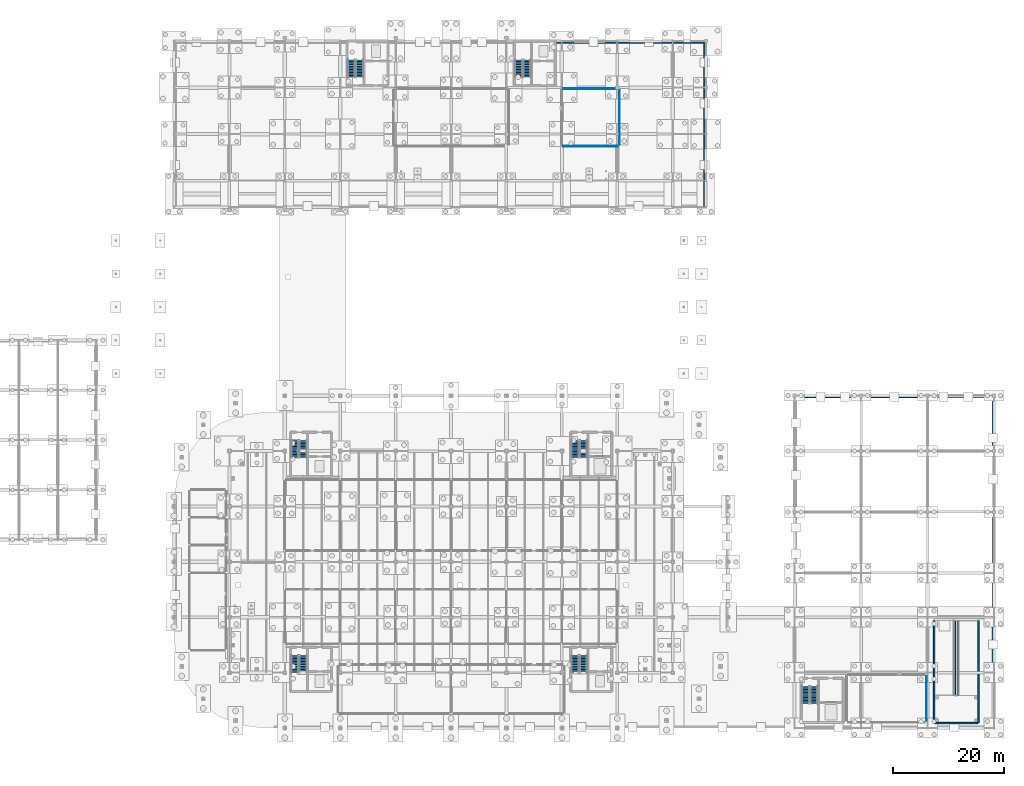
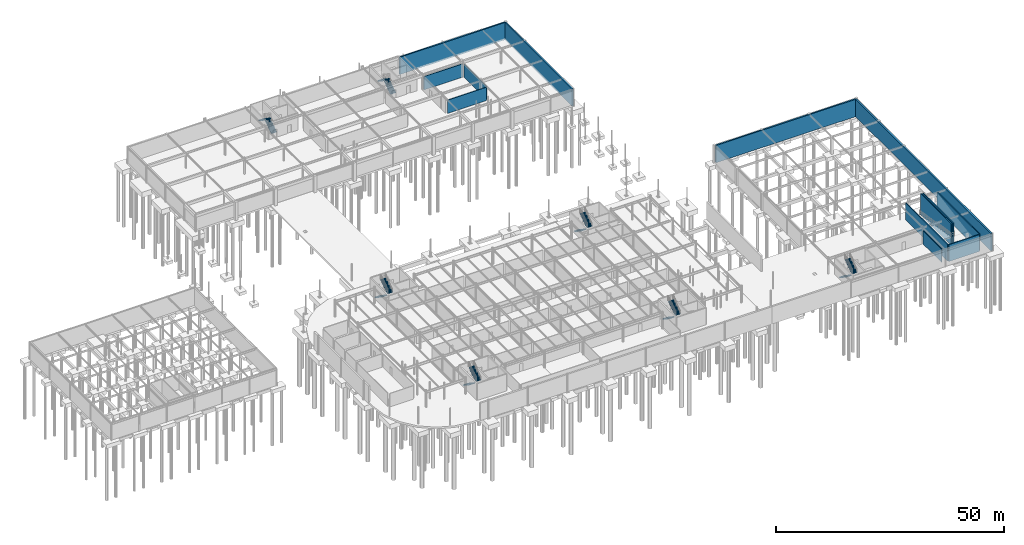
# One storey, part 69 of 75: 14 stair flights, 13 walls, 7 elements without a shape of their own.
"""IFC4 building model written with IfcOpenShell, lengths in metres."""

from ifc_helpers import new_model, si_unit, derived_unit, direction, frame, frame_2d, origin, place, context, subcontext, project, spatial, polyline, rectangle, outline, extrude, material, layer, layer_set, type_object, element, aggregate, save


model = new_model("IFC4")

# Units and contexts
model_context = context("Model", 3, precision=1e-05, world=origin(), true_north=direction((0.0, 1.0)))
body_context = subcontext(model_context, "Body", "Model", "MODEL_VIEW")
ifc_project = project(units=[si_unit("LENGTHUNIT", "METRE"), si_unit("AREAUNIT", "SQUARE_METRE"), si_unit("VOLUMEUNIT", "CUBIC_METRE"), si_unit("PLANEANGLEUNIT", "RADIAN"), si_unit("MASSUNIT", "GRAM", prefix="KILO"), derived_unit("THERMALTRANSMITTANCEUNIT", [(si_unit("POWERUNIT", "WATT"), 1), (si_unit("LENGTHUNIT", "METRE"), -2), (si_unit("THERMODYNAMICTEMPERATUREUNIT", "KELVIN"), -1)])], contexts=[model_context])

# Site, building, storey
site_placement = place(None, origin())
site = spatial("IfcSite", under=ifc_project, at=site_placement, CompositionType="ELEMENT")
building_placement = place(site_placement, origin())
building = spatial("IfcBuilding", under=site, at=building_placement, Name="Cinnabar Yard Market Hall", CompositionType="ELEMENT")
storey_placement = place(building_placement, frame((0.0, 0.0, -4.5)))
storey = spatial("IfcBuildingStorey", under=building, at=storey_placement, Name="B1", CompositionType="ELEMENT", Elevation=-4.5)

# Walls
ifc_material_1 = material(Name="Fire-rated steel-stud plasterboard", Category="steel")
ifc_layer_1 = layer(ifc_material_1, 0.14990234375)
ifc_layer_set_1 = layer_set([ifc_layer_1], Name="Fire-rated steel-stud plasterboard")
wall_type_1 = type_object("IfcWallType", Name="WL-PT150", PredefinedType="PARTITIONING", material=ifc_layer_set_1)
wall_1_placement = place(storey_placement, frame((201.800048828125, 15.280029296875, 0.0), z_axis=(0.0, 0.0, 1.0), x_axis=(0.0, 1.0, 0.0)))
element("IfcWall", 1, at=wall_1_placement, inside=storey, type_object=wall_type_1, Name="Partition Basement Delivery Marshalling Hall east", PredefinedType="PARTITIONING", context=body_context, shape_type="SweptSolid", body=[
    extrude(rectangle(XDim=8.0400390625, YDim=0.14990234375, at=frame_2d((4.02001953125, 0.0), x_axis=(1.0, 0.0))), origin(), (0.0, 0.0, 1.0), 3.580078125),
])
for number, where, z_axis, x_axis, name in (
    (2, (136.280029296875, 119.0, 0.0), (0.0, 0.0, 1.0), (1.0, 0.0, 0.0), "Partition Artisan Cure and Fermentation Cellar south"),
    (3, (146.39990234375, 119.280029296875, 0.0), (0.0, 0.0, 1.0), (0.0, 1.0, 0.0), "Partition Artisan Cure and Fermentation Cellar east"),
    (4, (146.1201171875, 129.39990234375, 0.0), (0.0, 0.0, 1.0), (-1.0, 0.0, 0.0), "Partition Artisan Cure and Fermentation Cellar north"),
):
    element("IfcWall", number, at=place(storey_placement, frame(where, z_axis=z_axis, x_axis=x_axis)), inside=storey, type_object=wall_type_1, Name=name, PredefinedType="PARTITIONING", context=body_context, shape_type="SweptSolid", body=[
        extrude(rectangle(XDim=9.840087890625, YDim=0.14990234375, at=frame_2d((4.919921875, 0.0), x_axis=(1.0, 0.0))), origin(), (0.0, 0.0, 1.0), 3.580078125),
    ])
ifc_material_2 = material(Name="Concrete 40 MPa", Category="concrete")
ifc_layer_2 = layer(ifc_material_2, 0.39990234375)
ifc_layer_set_2 = layer_set([ifc_layer_2], Name="Concrete 40 MPa")
wall_type_2 = type_object("IfcWallType", Name="WL-W-RET1E", PredefinedType="USERDEFINED", material=ifc_layer_set_2)
wall_2_placement = place(storey_placement, frame((213.800048828125, 14.199951171875, -0.449951171875), z_axis=(0.0, 0.0, 1.0), x_axis=(0.0, 1.0, 0.0)))
element("IfcWall", 5, at=wall_2_placement, inside=storey, type_object=wall_type_2, Name="Retaining Plinth Wall B1-RET-V4E", ObjectType="RETAINING WALL", PredefinedType="USERDEFINED", context=body_context, shape_type="SweptSolid", body=[
    extrude(rectangle(XDim=59.60009765625, YDim=0.39990234375, at=frame_2d((29.800048828125, 0.0), x_axis=(1.0, 0.0))), origin(), (0.0, 0.0, 1.0), 4.64990234375),
])
ifc_layer_3 = layer(ifc_material_2, 0.360107421875)
ifc_layer_set_3 = layer_set([ifc_layer_3], Name="Concrete 40 MPa")
wall_type_3 = type_object("IfcWallType", Name="WL-W-RET2E", PredefinedType="USERDEFINED", material=ifc_layer_set_3)
wall_3_placement = place(storey_placement, frame((134.97998046875, 137.800048828125, -0.449951171875), z_axis=(0.0, 0.0, 1.0), x_axis=(1.0, 0.0, 0.0)))
element("IfcWall", 6, at=wall_3_placement, inside=storey, type_object=wall_type_3, Name="Retaining Plinth Wall B1-RET-V3N3", ObjectType="RETAINING WALL", PredefinedType="USERDEFINED", context=body_context, shape_type="SweptSolid", body=[
    extrude(rectangle(XDim=26.820068359375, YDim=0.360107421875, at=frame_2d((13.41015625, 0.0), x_axis=(1.0, 0.0))), origin(), (0.0, 0.0, 1.0), 4.64990234375),
])
wall_4_placement = place(storey_placement, frame((161.800048828125, 108.199951171875, -0.449951171875), z_axis=(0.0, 0.0, 1.0), x_axis=(0.0, 1.0, 0.0)))
element("IfcWall", 7, at=wall_4_placement, inside=storey, type_object=wall_type_3, Name="Retaining Plinth Wall B1-RET-V3E", ObjectType="RETAINING WALL", PredefinedType="USERDEFINED", context=body_context, shape_type="SweptSolid", body=[
    extrude(rectangle(XDim=29.60009765625, YDim=0.360107421875, at=frame_2d((14.800048828125, 0.0), x_axis=(1.0, 0.0))), origin(), (0.0, 0.0, 1.0), 4.64990234375),
])
wall_5_placement = place(storey_placement, frame((213.800048828125, 73.800048828125, -0.449951171875), z_axis=(0.0, 0.0, 1.0), x_axis=(-1.0, 0.0, 0.0)))
element("IfcWall", 8, at=wall_5_placement, inside=storey, type_object=wall_type_3, Name="Retaining Plinth Wall B1-RET-V4N", ObjectType="RETAINING WALL", PredefinedType="USERDEFINED", context=body_context, shape_type="SweptSolid", body=[
    extrude(rectangle(XDim=35.60009765625, YDim=0.360107421875, at=frame_2d((17.800048828125, 0.0), x_axis=(1.0, 0.0))), origin(), (0.0, 0.0, 1.0), 4.64990234375),
])
ifc_layer_4 = layer(ifc_material_2, 0.25)
ifc_layer_set_4 = layer_set([ifc_layer_4], Name="Concrete 40 MPa")
wall_type_4 = type_object("IfcWallType", Name="WL-W-SHAFT", PredefinedType="SHEAR", material=ifc_layer_set_4)
wall_6_placement = place(storey_placement, frame((203.179931640625, 15.0, 0.0), z_axis=(0.0, 0.0, 1.0), x_axis=(0.0, 1.0, 0.0)))
element("IfcWall", 9, at=wall_6_placement, inside=storey, type_object=wall_type_4, Name="B1 Ramp West Cheek Wall", PredefinedType="SHEAR", context=body_context, shape_type="SweptSolid", body=[
    extrude(rectangle(XDim=18.39990234375, YDim=0.25, at=frame_2d((9.199951171875, 0.0), x_axis=(1.0, 0.0))), origin(), (0.0, 0.0, 1.0), 4.5),
])
for number, where, z_axis, x_axis, name in (
    (10, (206.949951171875, 19.85009765625, 0.0), (0.0, 0.0, 1.0), (0.0, 1.0, 0.0), "B1 Ramp Spine Wall W"),
    (11, (207.449951171875, 33.25, 0.0), (0.0, 0.0, 1.0), (0.0, -1.0, 0.0), "B1 Ramp Spine Wall E"),
):
    element("IfcWall", number, at=place(storey_placement, frame(where, z_axis=z_axis, x_axis=x_axis)), inside=storey, type_object=wall_type_4, Name=name, PredefinedType="SHEAR", context=body_context, shape_type="SweptSolid", body=[
        extrude(rectangle(XDim=13.39990234375, YDim=0.25, at=frame_2d((6.699951171875, 0.0), x_axis=(1.0, 0.0))), origin(), (0.0, 0.0, 1.0), 5.75),
    ])
wall_7_placement = place(storey_placement, frame((211.219970703125, 33.39990234375, 0.0), z_axis=(0.0, 0.0, 1.0), x_axis=(0.0, -1.0, 0.0)))
element("IfcWall", 12, at=wall_7_placement, inside=storey, type_object=wall_type_4, Name="B1 Ramp East Cheek Wall", PredefinedType="SHEAR", context=body_context, shape_type="SweptSolid", body=[
    extrude(rectangle(XDim=18.39990234375, YDim=0.25, at=frame_2d((9.199951171875, 0.0), x_axis=(1.0, 0.0))), origin(), (0.0, 0.0, 1.0), 4.5),
])
wall_8_placement = place(storey_placement, frame((203.320068359375, 14.8798828125, 0.0), z_axis=(0.0, 0.0, 1.0), x_axis=(1.0, 0.0, 0.0)))
element("IfcWall", 13, at=wall_8_placement, inside=storey, type_object=wall_type_4, Name="B1 Ramp South Cheek Wall", PredefinedType="SHEAR", context=body_context, shape_type="SweptSolid", body=[
    extrude(rectangle(XDim=7.760009765625, YDim=0.25, at=frame_2d((3.8798828125, 0.0), x_axis=(1.0, 0.0))), origin(), (0.0, 0.0, 1.0), 4.5),
])

# Stair, stair flights
stair_type = type_object("IfcStairType", Name="ST-CORE", PredefinedType="HALF_TURN_STAIR", material=ifc_material_2)
stair_1_placement = place(storey_placement, origin())
stair_1 = element("IfcStair", 14, at=stair_1_placement, inside=storey, type_object=stair_type, Name="B1 Market Hall South-West Core Stair", PredefinedType="HALF_TURN_STAIR")
stair_flight_type = type_object("IfcStairFlightType", Name="STF-CORE", PredefinedType="STRAIGHT", material=ifc_material_2)
stair_flight_1_placement = place(storey_placement, frame((87.81494140625, 27.110107421875, 0.0), z_axis=(0.0, 0.0, 1.0), x_axis=(0.0, -1.0, 0.0)))
stair_flight_1 = element("IfcStairFlight", 15, at=stair_flight_1_placement, type_object=stair_flight_type, Name="ST-C1 flight 1", NumberOfRisers=12, NumberOfTreads=11, PredefinedType="STRAIGHT", RiserHeight=0.1875, TreadLength=0.28, context=body_context, shape_type="SweptSolid", body=[
    extrude(outline(polyline([(0.0, 0.0), (0.0, 0.1875), (0.280029296875, 0.1875), (0.280029296875, 0.375), (0.56005859375, 0.375), (0.56005859375, 0.5625), (0.840087890625, 0.5625), (0.840087890625, 0.75), (1.1201171875, 0.75), (1.1201171875, 0.9375), (1.39990234375, 0.9375), (1.39990234375, 1.125), (1.679931640625, 1.125), (1.679931640625, 1.3125), (1.9599609375, 1.3125), (1.9599609375, 1.5), (2.239990234375, 1.5), (2.239990234375, 1.6875), (2.52001953125, 1.6875), (2.52001953125, 1.875), (2.800048828125, 1.875), (2.800048828125, 2.0625), (3.080078125, 2.0625), (3.080078125, 2.25), (3.080078125, 1.882080078125), (0.26953125, 0.0), (0.0, 0.0)])), frame((0.0, 0.675048828125, 0.0), z_axis=(0.0, -1.0, 0.0), x_axis=(1.0, 0.0, 0.0)), (0.0, 0.0, 1.0), 1.35009765625),
])
stair_flight_2_placement = place(storey_placement, frame((89.324951171875, 24.030029296875, 2.25), z_axis=(0.0, 0.0, 1.0), x_axis=(0.0, 1.0, 0.0)))
stair_flight_2 = element("IfcStairFlight", 16, at=stair_flight_2_placement, type_object=stair_flight_type, Name="ST-C1 flight 2", NumberOfRisers=12, NumberOfTreads=11, PredefinedType="STRAIGHT", RiserHeight=0.1875, TreadLength=0.28, context=body_context, shape_type="SweptSolid", body=[
    extrude(outline(polyline([(0.0, 0.0), (0.0, 0.1875), (0.280029296875, 0.1875), (0.280029296875, 0.375), (0.56005859375, 0.375), (0.56005859375, 0.5625), (0.840087890625, 0.5625), (0.840087890625, 0.75), (1.1201171875, 0.75), (1.1201171875, 0.9375), (1.39990234375, 0.9375), (1.39990234375, 1.125), (1.679931640625, 1.125), (1.679931640625, 1.3125), (1.9599609375, 1.3125), (1.9599609375, 1.5), (2.239990234375, 1.5), (2.239990234375, 1.6875), (2.52001953125, 1.6875), (2.52001953125, 1.875), (2.800048828125, 1.875), (2.800048828125, 2.0625), (3.080078125, 2.0625), (3.080078125, 2.25), (3.080078125, 1.882080078125), (0.26953125, 0.0), (0.0, 0.0)])), frame((0.0, 0.675048828125, 0.0), z_axis=(0.0, -1.0, 0.0), x_axis=(1.0, 0.0, 0.0)), (0.0, 0.0, 1.0), 1.35009765625),
])
aggregate(stair_1, [stair_flight_1, stair_flight_2])

stair_2_placement = place(storey_placement, origin())
stair_2 = element("IfcStair", 17, at=stair_2_placement, inside=storey, type_object=stair_type, Name="B1 Market Hall South-East Core Stair", PredefinedType="HALF_TURN_STAIR")
stair_flight_3_placement = place(storey_placement, frame((138.4150390625, 27.110107421875, 0.0), z_axis=(0.0, 0.0, 1.0), x_axis=(0.0, -1.0, 0.0)))
stair_flight_3 = element("IfcStairFlight", 18, at=stair_flight_3_placement, type_object=stair_flight_type, Name="ST-C2 flight 1", NumberOfRisers=12, NumberOfTreads=11, PredefinedType="STRAIGHT", RiserHeight=0.1875, TreadLength=0.28, context=body_context, shape_type="SweptSolid", body=[
    extrude(outline(polyline([(0.0, 0.0), (0.0, 0.1875), (0.280029296875, 0.1875), (0.280029296875, 0.375), (0.56005859375, 0.375), (0.56005859375, 0.5625), (0.840087890625, 0.5625), (0.840087890625, 0.75), (1.1201171875, 0.75), (1.1201171875, 0.9375), (1.39990234375, 0.9375), (1.39990234375, 1.125), (1.679931640625, 1.125), (1.679931640625, 1.3125), (1.9599609375, 1.3125), (1.9599609375, 1.5), (2.239990234375, 1.5), (2.239990234375, 1.6875), (2.52001953125, 1.6875), (2.52001953125, 1.875), (2.800048828125, 1.875), (2.800048828125, 2.0625), (3.080078125, 2.0625), (3.080078125, 2.25), (3.080078125, 1.882080078125), (0.26953125, 0.0), (0.0, 0.0)])), frame((0.0, 0.675048828125, 0.0), z_axis=(0.0, -1.0, 0.0), x_axis=(1.0, 0.0, 0.0)), (0.0, 0.0, 1.0), 1.35009765625),
])
stair_flight_4_placement = place(storey_placement, frame((139.925048828125, 24.030029296875, 2.25), z_axis=(0.0, 0.0, 1.0), x_axis=(0.0, 1.0, 0.0)))
stair_flight_4 = element("IfcStairFlight", 19, at=stair_flight_4_placement, type_object=stair_flight_type, Name="ST-C2 flight 2", NumberOfRisers=12, NumberOfTreads=11, PredefinedType="STRAIGHT", RiserHeight=0.1875, TreadLength=0.28, context=body_context, shape_type="SweptSolid", body=[
    extrude(outline(polyline([(0.0, 0.0), (0.0, 0.1875), (0.280029296875, 0.1875), (0.280029296875, 0.375), (0.56005859375, 0.375), (0.56005859375, 0.5625), (0.840087890625, 0.5625), (0.840087890625, 0.75), (1.1201171875, 0.75), (1.1201171875, 0.9375), (1.39990234375, 0.9375), (1.39990234375, 1.125), (1.679931640625, 1.125), (1.679931640625, 1.3125), (1.9599609375, 1.3125), (1.9599609375, 1.5), (2.239990234375, 1.5), (2.239990234375, 1.6875), (2.52001953125, 1.6875), (2.52001953125, 1.875), (2.800048828125, 1.875), (2.800048828125, 2.0625), (3.080078125, 2.0625), (3.080078125, 2.25), (3.080078125, 1.882080078125), (0.26953125, 0.0), (0.0, 0.0)])), frame((0.0, 0.675048828125, 0.0), z_axis=(0.0, -1.0, 0.0), x_axis=(1.0, 0.0, 0.0)), (0.0, 0.0, 1.0), 1.35009765625),
])
aggregate(stair_2, [stair_flight_3, stair_flight_4])

stair_3_placement = place(storey_placement, origin())
stair_3 = element("IfcStair", 20, at=stair_3_placement, inside=storey, type_object=stair_type, Name="B1 Market Hall North-West Core Stair", PredefinedType="HALF_TURN_STAIR")
stair_flight_5_placement = place(storey_placement, frame((87.81494140625, 65.909912109375, 0.0), z_axis=(0.0, 0.0, 1.0), x_axis=(0.0, -1.0, 0.0)))
stair_flight_5 = element("IfcStairFlight", 21, at=stair_flight_5_placement, type_object=stair_flight_type, Name="ST-C3 flight 1", NumberOfRisers=12, NumberOfTreads=11, PredefinedType="STRAIGHT", RiserHeight=0.1875, TreadLength=0.28, context=body_context, shape_type="SweptSolid", body=[
    extrude(outline(polyline([(0.0, 0.0), (0.0, 0.1875), (0.280029296875, 0.1875), (0.280029296875, 0.375), (0.56005859375, 0.375), (0.56005859375, 0.5625), (0.840087890625, 0.5625), (0.840087890625, 0.75), (1.1201171875, 0.75), (1.1201171875, 0.9375), (1.39990234375, 0.9375), (1.39990234375, 1.125), (1.679931640625, 1.125), (1.679931640625, 1.3125), (1.9599609375, 1.3125), (1.9599609375, 1.5), (2.239990234375, 1.5), (2.239990234375, 1.6875), (2.52001953125, 1.6875), (2.52001953125, 1.875), (2.800048828125, 1.875), (2.800048828125, 2.0625), (3.080078125, 2.0625), (3.080078125, 2.25), (3.080078125, 1.882080078125), (0.26953125, 0.0), (0.0, 0.0)])), frame((0.0, 0.675048828125, 0.0), z_axis=(0.0, -1.0, 0.0), x_axis=(1.0, 0.0, 0.0)), (0.0, 0.0, 1.0), 1.35009765625),
])
stair_flight_6_placement = place(storey_placement, frame((89.324951171875, 62.830078125, 2.25), z_axis=(0.0, 0.0, 1.0), x_axis=(0.0, 1.0, 0.0)))
stair_flight_6 = element("IfcStairFlight", 22, at=stair_flight_6_placement, type_object=stair_flight_type, Name="ST-C3 flight 2", NumberOfRisers=12, NumberOfTreads=11, PredefinedType="STRAIGHT", RiserHeight=0.1875, TreadLength=0.28, context=body_context, shape_type="SweptSolid", body=[
    extrude(outline(polyline([(0.0, 0.0), (0.0, 0.1875), (0.280029296875, 0.1875), (0.280029296875, 0.375), (0.56005859375, 0.375), (0.56005859375, 0.5625), (0.840087890625, 0.5625), (0.840087890625, 0.75), (1.1201171875, 0.75), (1.1201171875, 0.9375), (1.39990234375, 0.9375), (1.39990234375, 1.125), (1.679931640625, 1.125), (1.679931640625, 1.3125), (1.9599609375, 1.3125), (1.9599609375, 1.5), (2.239990234375, 1.5), (2.239990234375, 1.6875), (2.52001953125, 1.6875), (2.52001953125, 1.875), (2.800048828125, 1.875), (2.800048828125, 2.0625), (3.080078125, 2.0625), (3.080078125, 2.25), (3.080078125, 1.882080078125), (0.26953125, 0.0), (0.0, 0.0)])), frame((0.0, 0.675048828125, 0.0), z_axis=(0.0, -1.0, 0.0), x_axis=(1.0, 0.0, 0.0)), (0.0, 0.0, 1.0), 1.35009765625),
])
aggregate(stair_3, [stair_flight_5, stair_flight_6])

stair_4_placement = place(storey_placement, origin())
stair_4 = element("IfcStair", 23, at=stair_4_placement, inside=storey, type_object=stair_type, Name="B1 Cooking School West Core Stair", PredefinedType="HALF_TURN_STAIR")
stair_flight_7_placement = place(storey_placement, frame((99.52490234375, 131.489990234375, 0.0), z_axis=(0.0, 0.0, 1.0), x_axis=(0.0, 1.0, 0.0)))
stair_flight_7 = element("IfcStairFlight", 24, at=stair_flight_7_placement, type_object=stair_flight_type, Name="ST-C5 flight 1", NumberOfRisers=12, NumberOfTreads=11, PredefinedType="STRAIGHT", RiserHeight=0.1875, TreadLength=0.28, context=body_context, shape_type="SweptSolid", body=[
    extrude(outline(polyline([(0.0, 0.0), (0.0, 0.1875), (0.280029296875, 0.1875), (0.280029296875, 0.375), (0.56005859375, 0.375), (0.56005859375, 0.5625), (0.840087890625, 0.5625), (0.840087890625, 0.75), (1.1201171875, 0.75), (1.1201171875, 0.9375), (1.39990234375, 0.9375), (1.39990234375, 1.125), (1.679931640625, 1.125), (1.679931640625, 1.3125), (1.9599609375, 1.3125), (1.9599609375, 1.5), (2.239990234375, 1.5), (2.239990234375, 1.6875), (2.52001953125, 1.6875), (2.52001953125, 1.875), (2.800048828125, 1.875), (2.800048828125, 2.0625), (3.080078125, 2.0625), (3.080078125, 2.25), (3.080078125, 1.882080078125), (0.26953125, 0.0), (0.0, 0.0)])), frame((0.0, 0.675048828125, 0.0), z_axis=(0.0, -1.0, 0.0), x_axis=(1.0, 0.0, 0.0)), (0.0, 0.0, 1.0), 1.35009765625),
])
stair_flight_8_placement = place(storey_placement, frame((98.014892578125, 134.570068359375, 2.25), z_axis=(0.0, 0.0, 1.0), x_axis=(0.0, -1.0, 0.0)))
stair_flight_8 = element("IfcStairFlight", 25, at=stair_flight_8_placement, type_object=stair_flight_type, Name="ST-C5 flight 2", NumberOfRisers=12, NumberOfTreads=11, PredefinedType="STRAIGHT", RiserHeight=0.1875, TreadLength=0.28, context=body_context, shape_type="SweptSolid", body=[
    extrude(outline(polyline([(0.0, 0.0), (0.0, 0.1875), (0.280029296875, 0.1875), (0.280029296875, 0.375), (0.56005859375, 0.375), (0.56005859375, 0.5625), (0.840087890625, 0.5625), (0.840087890625, 0.75), (1.1201171875, 0.75), (1.1201171875, 0.9375), (1.39990234375, 0.9375), (1.39990234375, 1.125), (1.679931640625, 1.125), (1.679931640625, 1.3125), (1.9599609375, 1.3125), (1.9599609375, 1.5), (2.239990234375, 1.5), (2.239990234375, 1.6875), (2.52001953125, 1.6875), (2.52001953125, 1.875), (2.800048828125, 1.875), (2.800048828125, 2.0625), (3.080078125, 2.0625), (3.080078125, 2.25), (3.080078125, 1.882080078125), (0.26953125, 0.0), (0.0, 0.0)])), frame((0.0, 0.675048828125, 0.0), z_axis=(0.0, -1.0, 0.0), x_axis=(1.0, 0.0, 0.0)), (0.0, 0.0, 1.0), 1.35009765625),
])
aggregate(stair_4, [stair_flight_7, stair_flight_8])

stair_5_placement = place(storey_placement, origin())
stair_5 = element("IfcStair", 26, at=stair_5_placement, inside=storey, type_object=stair_type, Name="B1 Cooking School East Core Stair", PredefinedType="HALF_TURN_STAIR")
stair_flight_9_placement = place(storey_placement, frame((129.72509765625, 131.489990234375, 0.0), z_axis=(0.0, 0.0, 1.0), x_axis=(0.0, 1.0, 0.0)))
stair_flight_9 = element("IfcStairFlight", 27, at=stair_flight_9_placement, type_object=stair_flight_type, Name="ST-C6 flight 1", NumberOfRisers=12, NumberOfTreads=11, PredefinedType="STRAIGHT", RiserHeight=0.1875, TreadLength=0.28, context=body_context, shape_type="SweptSolid", body=[
    extrude(outline(polyline([(0.0, 0.0), (0.0, 0.1875), (0.280029296875, 0.1875), (0.280029296875, 0.375), (0.56005859375, 0.375), (0.56005859375, 0.5625), (0.840087890625, 0.5625), (0.840087890625, 0.75), (1.1201171875, 0.75), (1.1201171875, 0.9375), (1.39990234375, 0.9375), (1.39990234375, 1.125), (1.679931640625, 1.125), (1.679931640625, 1.3125), (1.9599609375, 1.3125), (1.9599609375, 1.5), (2.239990234375, 1.5), (2.239990234375, 1.6875), (2.52001953125, 1.6875), (2.52001953125, 1.875), (2.800048828125, 1.875), (2.800048828125, 2.0625), (3.080078125, 2.0625), (3.080078125, 2.25), (3.080078125, 1.882080078125), (0.26953125, 0.0), (0.0, 0.0)])), frame((0.0, 0.675048828125, 0.0), z_axis=(0.0, -1.0, 0.0), x_axis=(1.0, 0.0, 0.0)), (0.0, 0.0, 1.0), 1.35009765625),
])
stair_flight_10_placement = place(storey_placement, frame((128.215087890625, 134.570068359375, 2.25), z_axis=(0.0, 0.0, 1.0), x_axis=(0.0, -1.0, 0.0)))
stair_flight_10 = element("IfcStairFlight", 28, at=stair_flight_10_placement, type_object=stair_flight_type, Name="ST-C6 flight 2", NumberOfRisers=12, NumberOfTreads=11, PredefinedType="STRAIGHT", RiserHeight=0.1875, TreadLength=0.28, context=body_context, shape_type="SweptSolid", body=[
    extrude(outline(polyline([(0.0, 0.0), (0.0, 0.1875), (0.280029296875, 0.1875), (0.280029296875, 0.375), (0.56005859375, 0.375), (0.56005859375, 0.5625), (0.840087890625, 0.5625), (0.840087890625, 0.75), (1.1201171875, 0.75), (1.1201171875, 0.9375), (1.39990234375, 0.9375), (1.39990234375, 1.125), (1.679931640625, 1.125), (1.679931640625, 1.3125), (1.9599609375, 1.3125), (1.9599609375, 1.5), (2.239990234375, 1.5), (2.239990234375, 1.6875), (2.52001953125, 1.6875), (2.52001953125, 1.875), (2.800048828125, 1.875), (2.800048828125, 2.0625), (3.080078125, 2.0625), (3.080078125, 2.25), (3.080078125, 1.882080078125), (0.26953125, 0.0), (0.0, 0.0)])), frame((0.0, 0.675048828125, 0.0), z_axis=(0.0, -1.0, 0.0), x_axis=(1.0, 0.0, 0.0)), (0.0, 0.0, 1.0), 1.35009765625),
])
aggregate(stair_5, [stair_flight_9, stair_flight_10])

stair_6_placement = place(storey_placement, origin())
stair_6 = element("IfcStair", 29, at=stair_6_placement, inside=storey, type_object=stair_type, Name="B1 Cold-Chain Goods Core Stair", PredefinedType="HALF_TURN_STAIR")
stair_flight_11_placement = place(storey_placement, frame((138.4150390625, 65.909912109375, 0.0), z_axis=(0.0, 0.0, 1.0), x_axis=(0.0, -1.0, 0.0)))
stair_flight_11 = element("IfcStairFlight", 30, at=stair_flight_11_placement, type_object=stair_flight_type, Name="ST-C7 flight 1", NumberOfRisers=12, NumberOfTreads=11, PredefinedType="STRAIGHT", RiserHeight=0.1875, TreadLength=0.28, context=body_context, shape_type="SweptSolid", body=[
    extrude(outline(polyline([(0.0, 0.0), (0.0, 0.1875), (0.280029296875, 0.1875), (0.280029296875, 0.375), (0.56005859375, 0.375), (0.56005859375, 0.5625), (0.840087890625, 0.5625), (0.840087890625, 0.75), (1.1201171875, 0.75), (1.1201171875, 0.9375), (1.39990234375, 0.9375), (1.39990234375, 1.125), (1.679931640625, 1.125), (1.679931640625, 1.3125), (1.9599609375, 1.3125), (1.9599609375, 1.5), (2.239990234375, 1.5), (2.239990234375, 1.6875), (2.52001953125, 1.6875), (2.52001953125, 1.875), (2.800048828125, 1.875), (2.800048828125, 2.0625), (3.080078125, 2.0625), (3.080078125, 2.25), (3.080078125, 1.882080078125), (0.26953125, 0.0), (0.0, 0.0)])), frame((0.0, 0.675048828125, 0.0), z_axis=(0.0, -1.0, 0.0), x_axis=(1.0, 0.0, 0.0)), (0.0, 0.0, 1.0), 1.35009765625),
])
stair_flight_12_placement = place(storey_placement, frame((139.925048828125, 62.830078125, 2.25), z_axis=(0.0, 0.0, 1.0), x_axis=(0.0, 1.0, 0.0)))
stair_flight_12 = element("IfcStairFlight", 31, at=stair_flight_12_placement, type_object=stair_flight_type, Name="ST-C7 flight 2", NumberOfRisers=12, NumberOfTreads=11, PredefinedType="STRAIGHT", RiserHeight=0.1875, TreadLength=0.28, context=body_context, shape_type="SweptSolid", body=[
    extrude(outline(polyline([(0.0, 0.0), (0.0, 0.1875), (0.280029296875, 0.1875), (0.280029296875, 0.375), (0.56005859375, 0.375), (0.56005859375, 0.5625), (0.840087890625, 0.5625), (0.840087890625, 0.75), (1.1201171875, 0.75), (1.1201171875, 0.9375), (1.39990234375, 0.9375), (1.39990234375, 1.125), (1.679931640625, 1.125), (1.679931640625, 1.3125), (1.9599609375, 1.3125), (1.9599609375, 1.5), (2.239990234375, 1.5), (2.239990234375, 1.6875), (2.52001953125, 1.6875), (2.52001953125, 1.875), (2.800048828125, 1.875), (2.800048828125, 2.0625), (3.080078125, 2.0625), (3.080078125, 2.25), (3.080078125, 1.882080078125), (0.26953125, 0.0), (0.0, 0.0)])), frame((0.0, 0.675048828125, 0.0), z_axis=(0.0, -1.0, 0.0), x_axis=(1.0, 0.0, 0.0)), (0.0, 0.0, 1.0), 1.35009765625),
])
aggregate(stair_6, [stair_flight_11, stair_flight_12])

stair_7_placement = place(storey_placement, origin())
stair_7 = element("IfcStair", 32, at=stair_7_placement, inside=storey, type_object=stair_type, Name="B1 Loading Dock Goods Core Stair", PredefinedType="HALF_TURN_STAIR")
stair_flight_13_placement = place(storey_placement, frame((180.014892578125, 21.510009765625, 0.0), z_axis=(0.0, 0.0, 1.0), x_axis=(0.0, -1.0, 0.0)))
stair_flight_13 = element("IfcStairFlight", 33, at=stair_flight_13_placement, type_object=stair_flight_type, Name="ST-C8 flight 1", NumberOfRisers=12, NumberOfTreads=11, PredefinedType="STRAIGHT", RiserHeight=0.1875, TreadLength=0.28, context=body_context, shape_type="SweptSolid", body=[
    extrude(outline(polyline([(0.0, 0.0), (0.0, 0.1875), (0.280029296875, 0.1875), (0.280029296875, 0.375), (0.56005859375, 0.375), (0.56005859375, 0.5625), (0.840087890625, 0.5625), (0.840087890625, 0.75), (1.1201171875, 0.75), (1.1201171875, 0.9375), (1.39990234375, 0.9375), (1.39990234375, 1.125), (1.679931640625, 1.125), (1.679931640625, 1.3125), (1.9599609375, 1.3125), (1.9599609375, 1.5), (2.239990234375, 1.5), (2.239990234375, 1.6875), (2.52001953125, 1.6875), (2.52001953125, 1.875), (2.800048828125, 1.875), (2.800048828125, 2.0625), (3.080078125, 2.0625), (3.080078125, 2.25), (3.080078125, 1.882080078125), (0.26953125, 0.0), (0.0, 0.0)])), frame((0.0, 0.675048828125, 0.0), z_axis=(0.0, -1.0, 0.0), x_axis=(1.0, 0.0, 0.0)), (0.0, 0.0, 1.0), 1.35009765625),
])
stair_flight_14_placement = place(storey_placement, frame((181.52490234375, 18.429931640625, 2.25), z_axis=(0.0, 0.0, 1.0), x_axis=(0.0, 1.0, 0.0)))
stair_flight_14 = element("IfcStairFlight", 34, at=stair_flight_14_placement, type_object=stair_flight_type, Name="ST-C8 flight 2", NumberOfRisers=12, NumberOfTreads=11, PredefinedType="STRAIGHT", RiserHeight=0.1875, TreadLength=0.28, context=body_context, shape_type="SweptSolid", body=[
    extrude(outline(polyline([(0.0, 0.0), (0.0, 0.1875), (0.280029296875, 0.1875), (0.280029296875, 0.375), (0.56005859375, 0.375), (0.56005859375, 0.5625), (0.840087890625, 0.5625), (0.840087890625, 0.75), (1.1201171875, 0.75), (1.1201171875, 0.9375), (1.39990234375, 0.9375), (1.39990234375, 1.125), (1.679931640625, 1.125), (1.679931640625, 1.3125), (1.9599609375, 1.3125), (1.9599609375, 1.5), (2.239990234375, 1.5), (2.239990234375, 1.6875), (2.52001953125, 1.6875), (2.52001953125, 1.875), (2.800048828125, 1.875), (2.800048828125, 2.0625), (3.080078125, 2.0625), (3.080078125, 2.25), (3.080078125, 1.882080078125), (0.26953125, 0.0), (0.0, 0.0)])), frame((0.0, 0.675048828125, 0.0), z_axis=(0.0, -1.0, 0.0), x_axis=(1.0, 0.0, 0.0)), (0.0, 0.0, 1.0), 1.35009765625),
])
aggregate(stair_7, [stair_flight_13, stair_flight_14])

save(model, "model.ifc")
